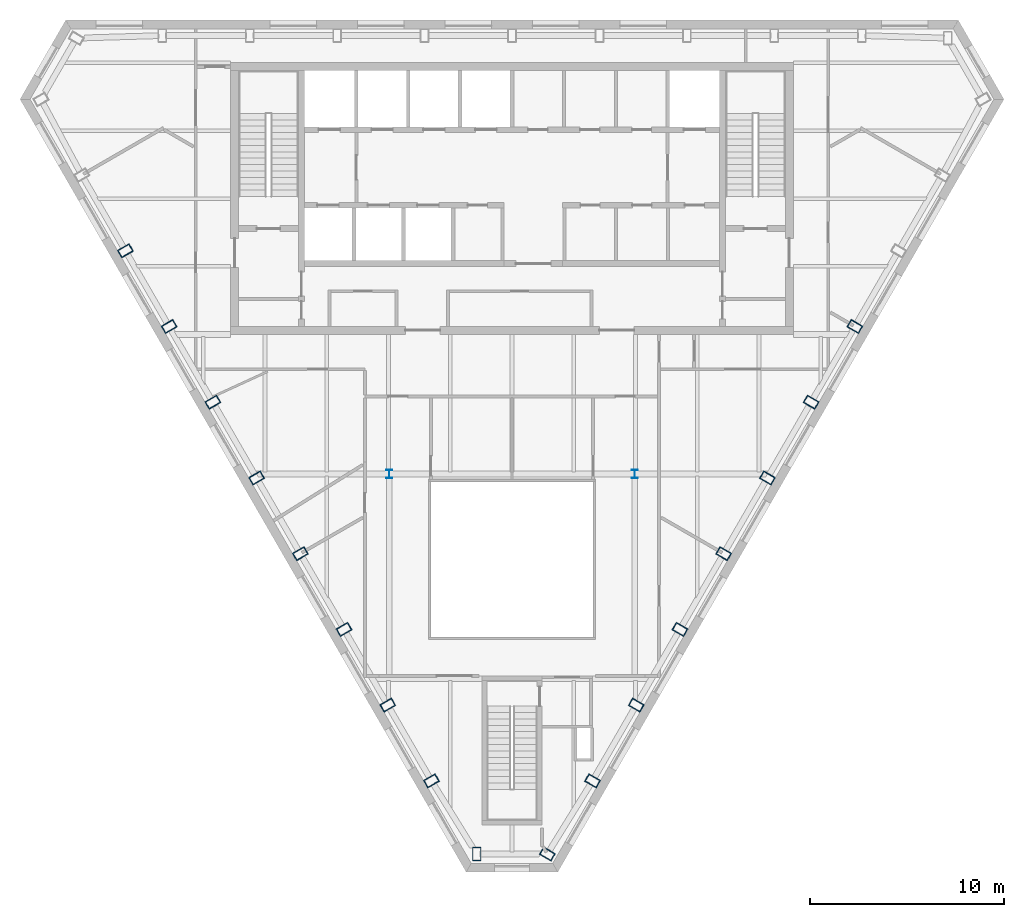
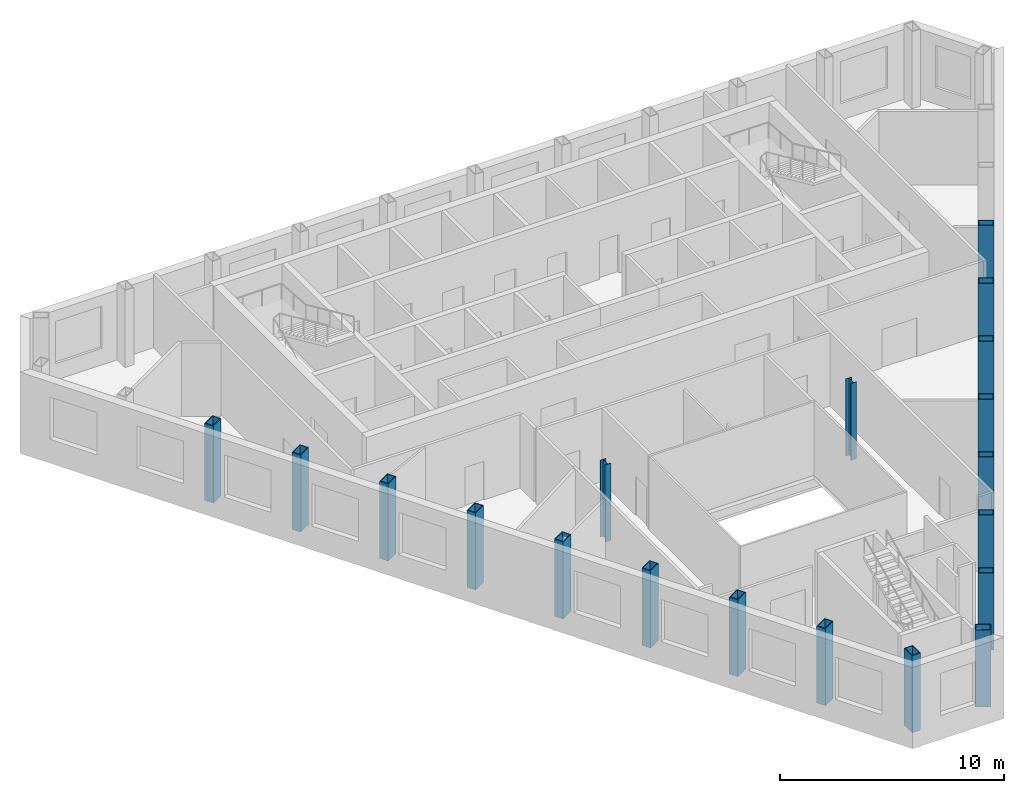
# One storey, part 1 of 10: 19 columns.
"""IFC4 building model written with IfcOpenShell, lengths in metres."""

import ifcopenshell
import ifcopenshell.guid

model = None  # the IFC model being written
_history = None  # IfcOwnerHistory: only IFC2X3 demands one
_inside = {}  # id of a spatial element -> (the spatial element, [elements in it])
_under = {}  # id of a project, library or spatial element -> (it, [spatial elements below it])
_declared = {}  # id of a project -> (the project, [libraries it declares])
_typed = {}  # id of a type object -> (the type object, [elements of that type])
_made_of = {}  # id of a material, layer set ... -> (it, [elements and type objects made of it])


def new_model(schema):
    """Start an empty IFC model of exactly this schema.

    Asked for "IFC4X3", IfcOpenShell would pick the latest addendum, in which some entities
    have other attributes; the version numbers below select the first issue.
    IFC2X3 requires an IfcOwnerHistory on every rooted entity: one is made here for all.
    """
    global model, _history
    if schema == "IFC4X3":
        model = ifcopenshell.file(schema_version=(4, 3, 0, 0))
    else:
        model = ifcopenshell.file(schema=schema)
    _inside.clear()
    _under.clear()
    _declared.clear()
    _typed.clear()
    _made_of.clear()
    _history = None
    if model.schema == "IFC2X3":
        org = make("IfcOrganization", Name="unknown")
        user = make(
            "IfcPersonAndOrganization",
            ThePerson=make("IfcPerson", FamilyName="unknown"),
            TheOrganization=org,
        )
        app = make(
            "IfcApplication",
            ApplicationDeveloper=org,
            Version="unknown",
            ApplicationFullName="unknown",
            ApplicationIdentifier="unknown",
        )
        _history = make(
            "IfcOwnerHistory",
            OwningUser=user,
            OwningApplication=app,
            ChangeAction="ADDED",
            CreationDate=0,
        )
    return model


def make(cls, **values):
    """One entity of the class cls with the attributes given. An attribute that is None is left unset."""
    return model.create_entity(
        cls, **{name: value for name, value in values.items() if value is not None}
    )


def rooted(cls, **values):
    """An entity with a GlobalId (a new one), such as an element, a storey or a relation."""
    return make(cls, GlobalId=ifcopenshell.guid.new(), OwnerHistory=_history, **values)


def si_unit(unit_type, name, prefix=None):
    """IfcSIUnit, for example si_unit("LENGTHUNIT", "METRE", prefix="MILLI")."""
    return make("IfcSIUnit", UnitType=unit_type, Prefix=prefix, Name=name)


def assignment(units):
    """IfcUnitAssignment: the units of a project."""
    return None if units is None else make("IfcUnitAssignment", Units=units)


def point(xyz):
    """IfcCartesianPoint."""
    return None if xyz is None else make("IfcCartesianPoint", Coordinates=xyz)


def direction(xyz):
    """IfcDirection."""
    return None if xyz is None else make("IfcDirection", DirectionRatios=xyz)


def frame(location, z_axis=None, x_axis=None):
    """IfcAxis2Placement3D, a coordinate frame: its origin and axes. An axis left out is left unset."""
    return make(
        "IfcAxis2Placement3D",
        Location=point(location),
        Axis=direction(z_axis),
        RefDirection=direction(x_axis),
    )


def frame_2d(location, x_axis=None):
    """IfcAxis2Placement2D, a coordinate frame in the plane: its origin and x axis."""
    return make(
        "IfcAxis2Placement2D", Location=point(location), RefDirection=direction(x_axis)
    )


def origin():
    """The frame at (0, 0, 0) with its axes left unset."""
    return frame((0.0, 0.0, 0.0))


def origin_2d():
    """The frame at (0, 0) in the plane with its x axis left unset."""
    return frame_2d((0.0, 0.0))


def place(relative_to, where):
    """IfcLocalPlacement: puts the frame where relative to a parent placement (None: the world)."""
    return make(
        "IfcLocalPlacement", PlacementRelTo=relative_to, RelativePlacement=where
    )


def context(
    kind, dimensions, precision=None, world=None, true_north=None, identifier=None
):
    """IfcGeometricRepresentationContext, for example the 3D "Model" context."""
    return make(
        "IfcGeometricRepresentationContext",
        ContextIdentifier=identifier,
        ContextType=kind,
        CoordinateSpaceDimension=dimensions,
        Precision=precision,
        WorldCoordinateSystem=world,
        TrueNorth=true_north,
    )


def subcontext(parent, identifier, kind, view, scale=None):
    """IfcGeometricRepresentationSubContext, for example "Body" below "Model"."""
    return make(
        "IfcGeometricRepresentationSubContext",
        ContextIdentifier=identifier,
        ContextType=kind,
        ParentContext=parent,
        TargetScale=scale,
        TargetView=view,
    )


def project(units=None, contexts=None):
    """IfcProject with its units and contexts."""
    return rooted(
        "IfcProject",
        Name="project",
        RepresentationContexts=contexts,
        UnitsInContext=assignment(units),
    )


def spatial(cls, under=None, at=None, **own):
    """A site, building, storey or space (cls), placed at a placement, below another one or the project."""
    s = rooted(cls, ObjectPlacement=at, **own)
    if under is not None:
        _under.setdefault(under.id(), (under, []))[1].append(s)
    return s


def profile(cls, at=None, kind="AREA", **sizes):
    """A parametric profile (cls). Its sizes go by their IFC names, for example OverallWidth=200.0."""
    return make(cls, ProfileType=kind, Position=at, **sizes)


def hollow_rectangle(**sizes):
    """IfcRectangleHollowProfileDef."""
    return profile("IfcRectangleHollowProfileDef", **sizes)


def i_section(**sizes):
    """IfcIShapeProfileDef."""
    return profile("IfcIShapeProfileDef", **sizes)


def extrude(swept, where, along, depth):
    """IfcExtrudedAreaSolid: the profile swept, set in the frame where, extruded along a direction by depth."""
    return make(
        "IfcExtrudedAreaSolid",
        SweptArea=swept,
        Position=where,
        ExtrudedDirection=direction(along),
        Depth=depth,
    )


def shape(context_of_items, identifier, shape_type, items):
    """IfcShapeRepresentation: the items that make up one representation, for example the "Body"."""
    return make(
        "IfcShapeRepresentation",
        ContextOfItems=context_of_items,
        RepresentationIdentifier=identifier,
        RepresentationType=shape_type,
        Items=items,
    )


def material(Name=None, Category=None):
    """IfcMaterial."""
    return make("IfcMaterial", Name=Name, Category=Category)


def material_profile(
    of_material, cross_section, Name=None, Category=None, Priority=None
):
    """IfcMaterialProfile: a cross section and its material."""
    return make(
        "IfcMaterialProfile",
        Name=Name,
        Material=of_material,
        Profile=cross_section,
        Priority=Priority,
        Category=Category,
    )


def profile_set(profiles, Name=None, composite=None):
    """IfcMaterialProfileSet."""
    return make(
        "IfcMaterialProfileSet",
        Name=Name,
        MaterialProfiles=profiles,
        CompositeProfile=composite,
    )


def made_of(thing, what):
    """Note that an element or type object is made of a material, layer set ...; save() writes the relation."""
    if what is not None:
        _made_of.setdefault(what.id(), (what, []))[1].append(thing)
    return thing


def type_object(cls, material=None, **own):
    """A type object (cls), such as IfcWallType, which elements share."""
    return made_of(rooted(cls, **own), material)


def element(
    cls,
    number,
    at=None,
    inside=None,
    cuts=None,
    type_object=None,
    material=None,
    context=None,
    identifier="Body",
    shape_type=None,
    held_by="IfcProductDefinitionShape",
    body=None,
    shapes=None,
    **own,
):
    """One element of the class cls, such as IfcWall. Its Tag is "e" and its number.

    at: its placement. inside: the storey or other place that contains it. cuts: it is an
    opening in that element (IfcRelVoidsElement). A single representation is given by context,
    identifier, shape_type and body (its items); several are given by shapes. held_by: the class
    of the entity that holds the representations. save() writes the other relations.
    """
    e = rooted(cls, Tag="e%d" % number, ObjectPlacement=at, **own)
    if body is not None:
        shapes = [shape(context, identifier, shape_type, body)]
    if shapes is not None:
        e.Representation = make(held_by, Representations=shapes)
    if inside is not None:
        _inside.setdefault(inside.id(), (inside, []))[1].append(e)
    if cuts is not None:
        rooted(
            "IfcRelVoidsElement", RelatingBuildingElement=cuts, RelatedOpeningElement=e
        )
    if type_object is not None:
        _typed.setdefault(type_object.id(), (type_object, []))[1].append(e)
    return made_of(e, material)


def aggregate(whole, parts):
    """IfcRelAggregates: a whole, such as a stair, and the parts it consists of."""
    return rooted("IfcRelAggregates", RelatingObject=whole, RelatedObjects=parts)


def save(model, path):
    """Write the relations noted so far, then the file.

    IfcRelAggregates (storeys below a building ...), IfcRelContainedInSpatialStructure (elements
    in a storey), IfcRelDefinesByType, IfcRelAssociatesMaterial and IfcRelDeclares: one each for
    every whole, place, type object, material and project.
    """
    for whole, parts in _under.values():
        aggregate(whole, parts)
    for where, things in _inside.values():
        rooted(
            "IfcRelContainedInSpatialStructure",
            RelatedElements=things,
            RelatingStructure=where,
        )
    for kind, things in _typed.values():
        rooted("IfcRelDefinesByType", RelatedObjects=things, RelatingType=kind)
    for what, things in _made_of.values():
        rooted("IfcRelAssociatesMaterial", RelatedObjects=things, RelatingMaterial=what)
    for by, libraries in _declared.values():
        rooted("IfcRelDeclares", RelatingContext=by, RelatedDefinitions=libraries)
    model.write(path)


model = new_model("IFC4")

# Units and contexts
model_context = context("Model", 3, precision=1e-05, world=origin(), true_north=direction((0.0, 1.0)))
body_context = subcontext(model_context, "Body", "Model", "MODEL_VIEW")
ifc_project = project(units=[si_unit("LENGTHUNIT", "METRE"), si_unit("AREAUNIT", "SQUARE_METRE"), si_unit("VOLUMEUNIT", "CUBIC_METRE"), si_unit("PLANEANGLEUNIT", "RADIAN"), si_unit("MASSUNIT", "GRAM", prefix="KILO")], contexts=[model_context])

# Site, building, storey
site_placement = place(None, origin())
site = spatial("IfcSite", under=ifc_project, at=site_placement, CompositionType="ELEMENT")
building_placement = place(site_placement, origin())
building = spatial("IfcBuilding", under=site, at=building_placement, Name="Njiva Tower", CompositionType="ELEMENT")
storey_placement = place(building_placement, frame((0.0, 0.0, 308.4)))
storey = spatial("IfcBuildingStorey", under=building, at=storey_placement, Name="L70", CompositionType="ELEMENT", Elevation=308.4)

# Columns
ifc_material = material(Name="Steel S355 J2", Category="steel")
ifc_material_profile_1 = material_profile(ifc_material, hollow_rectangle(XDim=0.45, YDim=0.7, WallThickness=0.04, at=origin_2d()), Name="BOX 700x450x40")
ifc_profile_set_1 = profile_set([ifc_material_profile_1], Name="Steel S355 J2")
column_type_1 = type_object("IfcColumnType", Name="C15 Perimeter tube column BOX 700x450x40", PredefinedType="COLUMN", material=ifc_profile_set_1)
for number, where, z_axis, x_axis, name in (
    (1, (-19.925, 8.307, 0.0), (0.0, 0.0, 1.0), (0.5, -0.866025403784, 0.0), "Perimeter tube column S23-C14"),
    (2, (-17.671, 4.404, 0.0), (0.0, 0.0, 1.0), (0.5, -0.866025403784, 0.0), "Perimeter tube column S23-C15"),
    (3, (-15.418, 0.501, 0.0), (0.0, 0.0, 1.0), (0.5, -0.866025403784, 0.0), "Perimeter tube column S23-C16"),
    (4, (-13.165, -3.402, 0.0), (0.0, 0.0, 1.0), (0.5, -0.866025403784, 0.0), "Perimeter tube column S23-C17"),
    (5, (-10.911, -7.305, 0.0), (0.0, 0.0, 1.0), (0.5, -0.866025403784, 0.0), "Perimeter tube column S23-C18"),
    (6, (-8.658, -11.208, 0.0), (0.0, 0.0, 1.0), (0.5, -0.866025403784, 0.0), "Perimeter tube column S23-C19"),
    (7, (-6.405, -15.11, 0.0), (0.0, 0.0, 1.0), (0.5, -0.866025403784, 0.0), "Perimeter tube column S23-C20"),
    (8, (-4.151, -19.013, 0.0), (0.0, 0.0, 1.0), (0.5, -0.866025403784, 0.0), "Perimeter tube column S23-C21"),
    (9, (-1.821, -22.783, 0.0), (0.0, 0.0, 1.0), (1.0, 0.0, 0.0), "Perimeter tube column S23-C22"),
    (10, (1.821, -22.783, 0.0), (0.0, 0.0, 1.0), (0.5, 0.866025403784, 0.0), "Perimeter tube column S23-C23"),
    (11, (4.151, -19.013, 0.0), (0.0, 0.0, 1.0), (0.5, 0.866025403784, 0.0), "Perimeter tube column S23-C24"),
    (12, (6.405, -15.11, 0.0), (0.0, 0.0, 1.0), (0.5, 0.866025403784, 0.0), "Perimeter tube column S23-C25"),
    (13, (8.658, -11.208, 0.0), (0.0, 0.0, 1.0), (0.5, 0.866025403784, 0.0), "Perimeter tube column S23-C26"),
    (14, (10.911, -7.305, 0.0), (0.0, 0.0, 1.0), (0.5, 0.866025403784, 0.0), "Perimeter tube column S23-C27"),
    (15, (13.165, -3.402, 0.0), (0.0, 0.0, 1.0), (0.5, 0.866025403784, 0.0), "Perimeter tube column S23-C28"),
    (16, (15.418, 0.501, 0.0), (0.0, 0.0, 1.0), (0.5, 0.866025403784, 0.0), "Perimeter tube column S23-C29"),
    (17, (17.671, 4.404, 0.0), (0.0, 0.0, 1.0), (0.5, 0.866025403784, 0.0), "Perimeter tube column S23-C30"),
):
    element("IfcColumn", number, at=place(storey_placement, frame(where, z_axis=z_axis, x_axis=x_axis)), inside=storey, type_object=column_type_1, Name=name, PredefinedType="COLUMN", context=body_context, shape_type="SweptSolid", body=[
        extrude(hollow_rectangle(XDim=0.45, YDim=0.7, WallThickness=0.04, at=origin_2d()), origin(), (0.0, 0.0, 1.0), 4.2),
    ])
ifc_material_profile_2 = material_profile(ifc_material, i_section(OverallWidth=0.3, OverallDepth=0.45, WebThickness=0.014, FlangeThickness=0.026, at=origin_2d()), Name="HEB 450")
ifc_profile_set_2 = profile_set([ifc_material_profile_2], Name="Steel S355 J2")
column_type_2 = type_object("IfcColumnType", Name="C16 Interior column HEB 450", PredefinedType="COLUMN", material=ifc_profile_set_2)
for number, where, z_axis, x_axis, name in (
    (18, (6.33, -3.2, 0.0), (0.0, 0.0, 1.0), (1.0, 0.0, 0.0), "Interior column S23-C34"),
    (19, (-6.33, -3.2, 0.0), (0.0, 0.0, 1.0), (1.0, 0.0, 0.0), "Interior column S23-C35"),
):
    element("IfcColumn", number, at=place(storey_placement, frame(where, z_axis=z_axis, x_axis=x_axis)), inside=storey, type_object=column_type_2, Name=name, PredefinedType="COLUMN", context=body_context, shape_type="SweptSolid", body=[
        extrude(i_section(OverallWidth=0.3, OverallDepth=0.45, WebThickness=0.014, FlangeThickness=0.026, at=origin_2d()), origin(), (0.0, 0.0, 1.0), 4.2),
    ])

save(model, "model.ifc")
